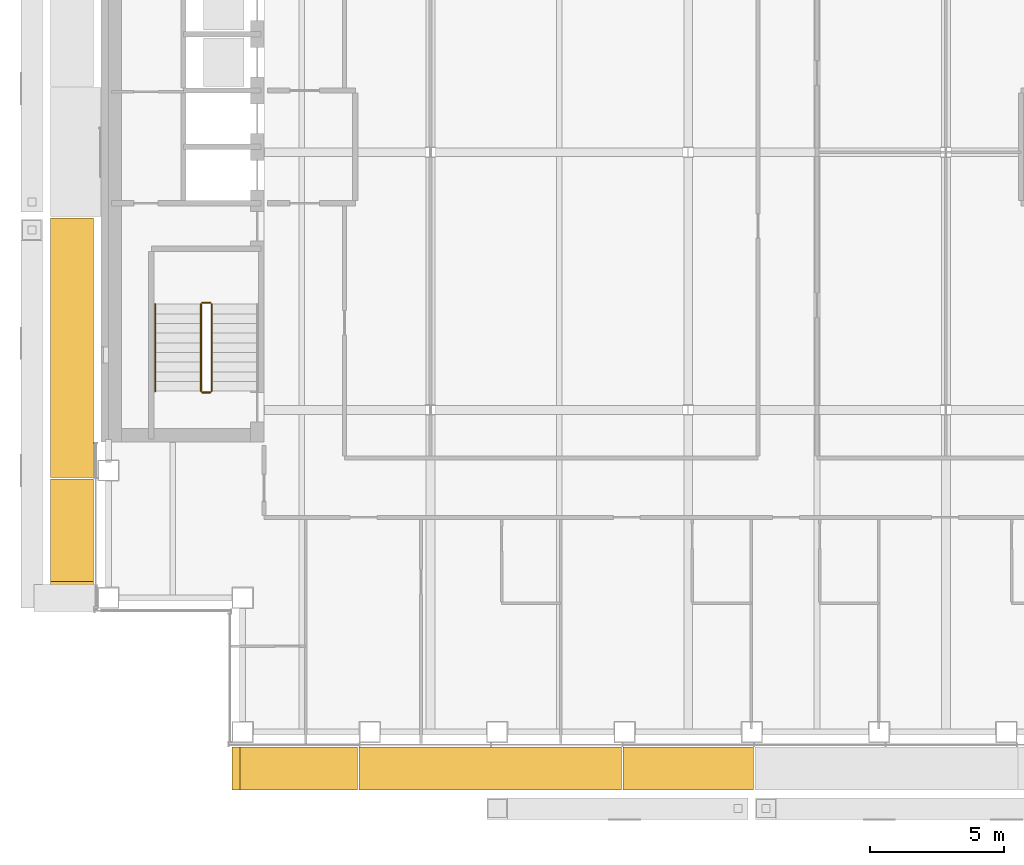
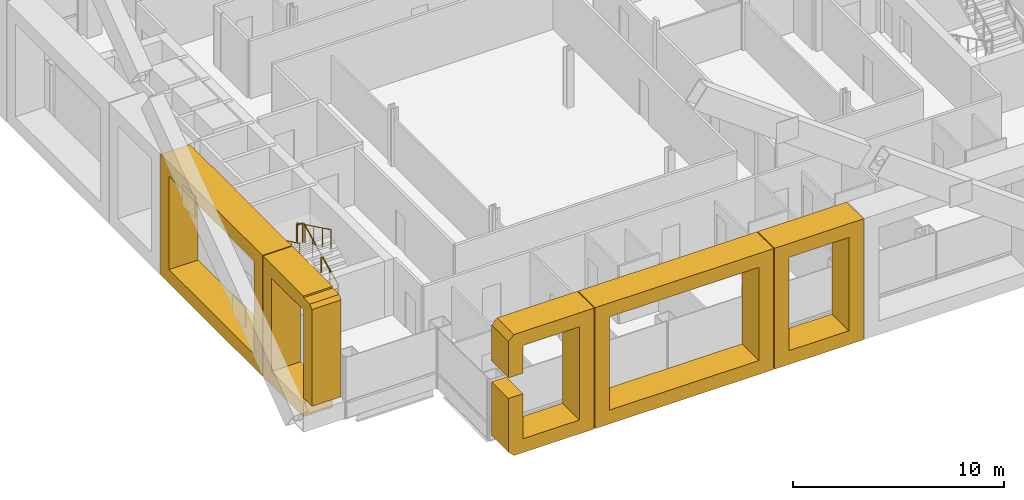
# One storey, part 17 of 22: 5 coverings, 5 railings.
"""IFC4 building model written with IfcOpenShell, lengths in metres."""

import ifcopenshell
import ifcopenshell.guid

model = None  # the IFC model being written
_history = None  # IfcOwnerHistory: only IFC2X3 demands one
_inside = {}  # id of a spatial element -> (the spatial element, [elements in it])
_under = {}  # id of a project, library or spatial element -> (it, [spatial elements below it])
_declared = {}  # id of a project -> (the project, [libraries it declares])
_typed = {}  # id of a type object -> (the type object, [elements of that type])
_made_of = {}  # id of a material, layer set ... -> (it, [elements and type objects made of it])


def new_model(schema):
    """Start an empty IFC model of exactly this schema.

    Asked for "IFC4X3", IfcOpenShell would pick the latest addendum, in which some entities
    have other attributes; the version numbers below select the first issue.
    IFC2X3 requires an IfcOwnerHistory on every rooted entity: one is made here for all.
    """
    global model, _history
    if schema == "IFC4X3":
        model = ifcopenshell.file(schema_version=(4, 3, 0, 0))
    else:
        model = ifcopenshell.file(schema=schema)
    _inside.clear()
    _under.clear()
    _declared.clear()
    _typed.clear()
    _made_of.clear()
    _history = None
    if model.schema == "IFC2X3":
        org = make("IfcOrganization", Name="unknown")
        user = make(
            "IfcPersonAndOrganization",
            ThePerson=make("IfcPerson", FamilyName="unknown"),
            TheOrganization=org,
        )
        app = make(
            "IfcApplication",
            ApplicationDeveloper=org,
            Version="unknown",
            ApplicationFullName="unknown",
            ApplicationIdentifier="unknown",
        )
        _history = make(
            "IfcOwnerHistory",
            OwningUser=user,
            OwningApplication=app,
            ChangeAction="ADDED",
            CreationDate=0,
        )
    return model


def make(cls, **values):
    """One entity of the class cls with the attributes given. An attribute that is None is left unset."""
    return model.create_entity(
        cls, **{name: value for name, value in values.items() if value is not None}
    )


def rooted(cls, **values):
    """An entity with a GlobalId (a new one), such as an element, a storey or a relation."""
    return make(cls, GlobalId=ifcopenshell.guid.new(), OwnerHistory=_history, **values)


def si_unit(unit_type, name, prefix=None):
    """IfcSIUnit, for example si_unit("LENGTHUNIT", "METRE", prefix="MILLI")."""
    return make("IfcSIUnit", UnitType=unit_type, Prefix=prefix, Name=name)


def assignment(units):
    """IfcUnitAssignment: the units of a project."""
    return None if units is None else make("IfcUnitAssignment", Units=units)


def point(xyz):
    """IfcCartesianPoint."""
    return None if xyz is None else make("IfcCartesianPoint", Coordinates=xyz)


def direction(xyz):
    """IfcDirection."""
    return None if xyz is None else make("IfcDirection", DirectionRatios=xyz)


def frame(location, z_axis=None, x_axis=None):
    """IfcAxis2Placement3D, a coordinate frame: its origin and axes. An axis left out is left unset."""
    return make(
        "IfcAxis2Placement3D",
        Location=point(location),
        Axis=direction(z_axis),
        RefDirection=direction(x_axis),
    )


def frame_2d(location, x_axis=None):
    """IfcAxis2Placement2D, a coordinate frame in the plane: its origin and x axis."""
    return make(
        "IfcAxis2Placement2D", Location=point(location), RefDirection=direction(x_axis)
    )


def origin():
    """The frame at (0, 0, 0) with its axes left unset."""
    return frame((0.0, 0.0, 0.0))


def origin_2d():
    """The frame at (0, 0) in the plane with its x axis left unset."""
    return frame_2d((0.0, 0.0))


def place(relative_to, where):
    """IfcLocalPlacement: puts the frame where relative to a parent placement (None: the world)."""
    return make(
        "IfcLocalPlacement", PlacementRelTo=relative_to, RelativePlacement=where
    )


def context(
    kind, dimensions, precision=None, world=None, true_north=None, identifier=None
):
    """IfcGeometricRepresentationContext, for example the 3D "Model" context."""
    return make(
        "IfcGeometricRepresentationContext",
        ContextIdentifier=identifier,
        ContextType=kind,
        CoordinateSpaceDimension=dimensions,
        Precision=precision,
        WorldCoordinateSystem=world,
        TrueNorth=true_north,
    )


def subcontext(parent, identifier, kind, view, scale=None):
    """IfcGeometricRepresentationSubContext, for example "Body" below "Model"."""
    return make(
        "IfcGeometricRepresentationSubContext",
        ContextIdentifier=identifier,
        ContextType=kind,
        ParentContext=parent,
        TargetScale=scale,
        TargetView=view,
    )


def project(units=None, contexts=None):
    """IfcProject with its units and contexts."""
    return rooted(
        "IfcProject",
        Name="project",
        RepresentationContexts=contexts,
        UnitsInContext=assignment(units),
    )


def spatial(cls, under=None, at=None, **own):
    """A site, building, storey or space (cls), placed at a placement, below another one or the project."""
    s = rooted(cls, ObjectPlacement=at, **own)
    if under is not None:
        _under.setdefault(under.id(), (under, []))[1].append(s)
    return s


def polyline(points):
    """IfcPolyline through the points."""
    return make("IfcPolyline", Points=[point(p) for p in points])


def profile(cls, at=None, kind="AREA", **sizes):
    """A parametric profile (cls). Its sizes go by their IFC names, for example OverallWidth=200.0."""
    return make(cls, ProfileType=kind, Position=at, **sizes)


def circle(**sizes):
    """IfcCircleProfileDef."""
    return profile("IfcCircleProfileDef", **sizes)


def outline(outer, holes=None, kind="AREA"):
    """IfcArbitraryClosedProfileDef: a profile drawn as a closed curve; with holes, ...WithVoids."""
    if holes is None:
        return make("IfcArbitraryClosedProfileDef", ProfileType=kind, OuterCurve=outer)
    return make(
        "IfcArbitraryProfileDefWithVoids",
        ProfileType=kind,
        OuterCurve=outer,
        InnerCurves=holes,
    )


def extrude(swept, where, along, depth):
    """IfcExtrudedAreaSolid: the profile swept, set in the frame where, extruded along a direction by depth."""
    return make(
        "IfcExtrudedAreaSolid",
        SweptArea=swept,
        Position=where,
        ExtrudedDirection=direction(along),
        Depth=depth,
    )


def shape(context_of_items, identifier, shape_type, items):
    """IfcShapeRepresentation: the items that make up one representation, for example the "Body"."""
    return make(
        "IfcShapeRepresentation",
        ContextOfItems=context_of_items,
        RepresentationIdentifier=identifier,
        RepresentationType=shape_type,
        Items=items,
    )


def material(Name=None, Category=None):
    """IfcMaterial."""
    return make("IfcMaterial", Name=Name, Category=Category)


def made_of(thing, what):
    """Note that an element or type object is made of a material, layer set ...; save() writes the relation."""
    if what is not None:
        _made_of.setdefault(what.id(), (what, []))[1].append(thing)
    return thing


def type_object(cls, material=None, **own):
    """A type object (cls), such as IfcWallType, which elements share."""
    return made_of(rooted(cls, **own), material)


def element(
    cls,
    number,
    at=None,
    inside=None,
    cuts=None,
    type_object=None,
    material=None,
    context=None,
    identifier="Body",
    shape_type=None,
    held_by="IfcProductDefinitionShape",
    body=None,
    shapes=None,
    **own,
):
    """One element of the class cls, such as IfcWall. Its Tag is "e" and its number.

    at: its placement. inside: the storey or other place that contains it. cuts: it is an
    opening in that element (IfcRelVoidsElement). A single representation is given by context,
    identifier, shape_type and body (its items); several are given by shapes. held_by: the class
    of the entity that holds the representations. save() writes the other relations.
    """
    e = rooted(cls, Tag="e%d" % number, ObjectPlacement=at, **own)
    if body is not None:
        shapes = [shape(context, identifier, shape_type, body)]
    if shapes is not None:
        e.Representation = make(held_by, Representations=shapes)
    if inside is not None:
        _inside.setdefault(inside.id(), (inside, []))[1].append(e)
    if cuts is not None:
        rooted(
            "IfcRelVoidsElement", RelatingBuildingElement=cuts, RelatedOpeningElement=e
        )
    if type_object is not None:
        _typed.setdefault(type_object.id(), (type_object, []))[1].append(e)
    return made_of(e, material)


def aggregate(whole, parts):
    """IfcRelAggregates: a whole, such as a stair, and the parts it consists of."""
    return rooted("IfcRelAggregates", RelatingObject=whole, RelatedObjects=parts)


def save(model, path):
    """Write the relations noted so far, then the file.

    IfcRelAggregates (storeys below a building ...), IfcRelContainedInSpatialStructure (elements
    in a storey), IfcRelDefinesByType, IfcRelAssociatesMaterial and IfcRelDeclares: one each for
    every whole, place, type object, material and project.
    """
    for whole, parts in _under.values():
        aggregate(whole, parts)
    for where, things in _inside.values():
        rooted(
            "IfcRelContainedInSpatialStructure",
            RelatedElements=things,
            RelatingStructure=where,
        )
    for kind, things in _typed.values():
        rooted("IfcRelDefinesByType", RelatedObjects=things, RelatingType=kind)
    for what, things in _made_of.values():
        rooted("IfcRelAssociatesMaterial", RelatedObjects=things, RelatingMaterial=what)
    for by, libraries in _declared.values():
        rooted("IfcRelDeclares", RelatingContext=by, RelatedDefinitions=libraries)
    model.write(path)


model = new_model("IFC4")

# Units and contexts
model_context = context("Model", 3, precision=1e-05, world=origin(), true_north=direction((0.0, 1.0)))
body_context = subcontext(model_context, "Body", "Model", "MODEL_VIEW")
ifc_project = project(units=[si_unit("LENGTHUNIT", "METRE"), si_unit("AREAUNIT", "SQUARE_METRE"), si_unit("VOLUMEUNIT", "CUBIC_METRE"), si_unit("PLANEANGLEUNIT", "RADIAN"), si_unit("MASSUNIT", "GRAM", prefix="KILO")], contexts=[model_context])

# Site, building, storey
site_placement = place(None, origin())
site = spatial("IfcSite", under=ifc_project, at=site_placement, CompositionType="ELEMENT")
building_placement = place(site_placement, origin())
building = spatial("IfcBuilding", under=site, at=building_placement, Name="Cobrizo Arcos Hotel Tower", CompositionType="ELEMENT")
storey_placement = place(building_placement, frame((0.0, 0.0, 155.0)))
storey = spatial("IfcBuildingStorey", under=building, at=storey_placement, Name="L39", CompositionType="ELEMENT", Elevation=155.0)

# Coverings
ifc_material_1 = material(Name="Aluminium 6063-T6 anodised bronze", Category="aluminium")
covering_type = type_object("IfcCoveringType", Name="FIN-F 1600", PredefinedType="CLADDING", material=ifc_material_1)
covering_1_placement = place(storey_placement, frame((-17.0, -22.14990234375, 0.0), z_axis=(0.0, -1.0, 0.0), x_axis=(1.0, 0.0, 0.0)))
element("IfcCovering", 1, at=covering_1_placement, inside=storey, type_object=covering_type, Name="Fin frame 236", PredefinedType="CLADDING", context=body_context, shape_type="SweptSolid", body=[
    extrude(outline(polyline([(0.0, 6.699951171875), (0.0, 4.60205078125), (0.800048828125, 4.60205078125), (0.800048828125, 6.199951171875), (3.889404296875, 6.199951171875), (3.889404296875, 0.800048828125), (0.800048828125, 0.800048828125), (0.800048828125, 3.39794921875), (0.0, 3.39794921875), (0.0, 0.300048828125), (0.300048828125, 0.0), (4.689208984375, 0.0), (4.689208984375, 7.0), (0.300048828125, 7.0), (0.0, 6.699951171875)])), origin(), (0.0, 0.0, 1.0), 1.60009765625),
])
covering_2_placement = place(storey_placement, frame((-12.2607421875, -22.14990234375, 0.0), z_axis=(0.0, -1.0, 0.0), x_axis=(1.0, 0.0, 0.0)))
element("IfcCovering", 2, at=covering_2_placement, inside=storey, type_object=covering_type, Name="Fin frame 237", PredefinedType="CLADDING", context=body_context, shape_type="SweptSolid", body=[
    extrude(outline(polyline([(0.0, 7.0), (0.0, 0.0), (9.778564453125, 0.0), (9.778564453125, 7.0), (0.0, 7.0)]), holes=[polyline([(8.978515625, 0.800048828125), (0.800048828125, 0.800048828125), (0.800048828125, 6.199951171875), (8.978515625, 6.199951171875), (8.978515625, 0.800048828125)])]), origin(), (0.0, 0.0, 1.0), 1.60009765625),
])
covering_3_placement = place(storey_placement, frame((-2.43212890625, -22.14990234375, 0.0), z_axis=(0.0, -1.0, 0.0), x_axis=(1.0, 0.0, 0.0)))
element("IfcCovering", 3, at=covering_3_placement, inside=storey, type_object=covering_type, Name="Fin frame 238", PredefinedType="CLADDING", context=body_context, shape_type="SweptSolid", body=[
    extrude(outline(polyline([(0.0, 7.0), (0.0, 0.0), (4.8642578125, 0.0), (4.8642578125, 7.0), (0.0, 7.0)]), holes=[polyline([(4.064208984375, 0.800048828125), (0.800048828125, 0.800048828125), (0.800048828125, 6.199951171875), (4.064208984375, 6.199951171875), (4.064208984375, 0.800048828125)])]), origin(), (0.0, 0.0, 1.0), 1.60009765625),
])
covering_4_placement = place(storey_placement, frame((-22.14990234375, -2.45361328125, 0.0), z_axis=(-1.0, 0.0, 0.0), x_axis=(0.0, -1.0, 0.0)))
element("IfcCovering", 4, at=covering_4_placement, inside=storey, type_object=covering_type, Name="Fin frame 269", PredefinedType="CLADDING", context=body_context, shape_type="SweptSolid", body=[
    extrude(outline(polyline([(0.0, 7.0), (0.0, 0.0), (9.664306640625, 0.0), (9.664306640625, 7.0), (0.0, 7.0)]), holes=[polyline([(8.8642578125, 0.800048828125), (0.800048828125, 0.800048828125), (0.800048828125, 6.199951171875), (8.8642578125, 6.199951171875), (8.8642578125, 0.800048828125)])]), origin(), (0.0, 0.0, 1.0), 1.60009765625),
])
covering_5_placement = place(storey_placement, frame((-22.14990234375, -12.16796875, 0.0), z_axis=(-1.0, 0.0, 0.0), x_axis=(0.0, -1.0, 0.0)))
element("IfcCovering", 5, at=covering_5_placement, inside=storey, type_object=covering_type, Name="Fin frame 270", PredefinedType="CLADDING", context=body_context, shape_type="SweptSolid", body=[
    extrude(outline(polyline([(0.0, 0.0), (3.830078125, 0.0), (3.830078125, 0.800048828125), (0.800048828125, 0.800048828125), (0.800048828125, 6.199951171875), (3.83203125, 6.199951171875), (3.83203125, 1.10205078125), (4.632080078125, 1.10205078125), (4.632080078125, 6.699951171875), (4.43408203125, 6.89794921875), (3.830078125, 6.89794921875), (3.830078125, 7.0), (0.0, 7.0), (0.0, 0.0)])), origin(), (0.0, 0.0, 1.0), 1.60009765625),
])

# Railings
ifc_material_2 = material(Name="Stainless steel railing", Category="steel")
railing_type_1 = type_object("IfcRailingType", Name="Stair guard 1100", PredefinedType="GUARDRAIL", material=ifc_material_2)
railing_1_placement = place(storey_placement, frame((-17.75, -8.89990234375, 0.175048828125)))
element("IfcRailing", 6, at=railing_1_placement, inside=storey, type_object=railing_type_1, Name="L39 ST-W stair guard 1", PredefinedType="GUARDRAIL", context=body_context, shape_type="SweptSolid", body=[
    extrude(circle(Radius=0.02392578125, at=origin_2d()), frame((0.0, 0.0, 1.076171875), z_axis=(0.0, 0.899372665325, 0.437182809435), x_axis=(-1.0, 0.0, 0.0)), (0.0, 0.0, 1.0), 3.6025390625),
    extrude(circle(Radius=0.02099609375, at=origin_2d()), origin(), (0.0, 0.0, 1.0), 1.052001953125),
    extrude(circle(Radius=0.02099609375, at=origin_2d()), frame((0.0, 0.81005859375, 0.393798828125)), (0.0, 0.0, 1.0), 1.052001953125),
    extrude(circle(Radius=0.02099609375, at=origin_2d()), frame((0.0, 1.6201171875, 0.78759765625)), (0.0, 0.0, 1.0), 1.052001953125),
    extrude(circle(Radius=0.02099609375, at=origin_2d()), frame((0.0, 2.429931640625, 1.18115234375)), (0.0, 0.0, 1.0), 1.052001953125),
    extrude(circle(Radius=0.02099609375, at=origin_2d()), frame((0.0, 3.239990234375, 1.574951171875)), (0.0, 0.0, 1.0), 1.052001953125),
])
railing_2_placement = place(storey_placement, frame((-17.800048828125, -5.610107421875, 1.75)))
element("IfcRailing", 7, at=railing_2_placement, inside=storey, type_object=railing_type_1, Name="L39 ST-W stair guard 2", PredefinedType="GUARDRAIL", context=body_context, shape_type="SweptSolid", body=[
    extrude(circle(Radius=0.02392578125, at=origin_2d()), frame((0.0, 0.0, 1.076171875), z_axis=(-1.0, 0.0, 0.0), x_axis=(0.0, -1.0, 0.0)), (0.0, 0.0, 1.0), 0.300048828125),
    extrude(circle(Radius=0.02099609375, at=origin_2d()), origin(), (0.0, 0.0, 1.0), 1.052001953125),
    extrude(circle(Radius=0.02099609375, at=origin_2d()), frame((-0.300048828125, 0.0, 0.0)), (0.0, 0.0, 1.0), 1.052001953125),
])
railing_3_placement = place(storey_placement, frame((-18.14990234375, -5.659912109375, 1.925048828125)))
element("IfcRailing", 8, at=railing_3_placement, inside=storey, type_object=railing_type_1, Name="L39 ST-W stair guard 3", PredefinedType="GUARDRAIL", context=body_context, shape_type="SweptSolid", body=[
    extrude(circle(Radius=0.02392578125, at=origin_2d()), frame((0.0, 0.0, 1.076171875), z_axis=(0.0, -0.899372665325, 0.437182809435), x_axis=(1.0, 0.0, 0.0)), (0.0, 0.0, 1.0), 3.6025390625),
    extrude(circle(Radius=0.02099609375, at=origin_2d()), origin(), (0.0, 0.0, 1.0), 1.052001953125),
    extrude(circle(Radius=0.02099609375, at=origin_2d()), frame((0.0, -0.81005859375, 0.393798828125)), (0.0, 0.0, 1.0), 1.052001953125),
    extrude(circle(Radius=0.02099609375, at=origin_2d()), frame((0.0, -1.6201171875, 0.78759765625)), (0.0, 0.0, 1.0), 1.052001953125),
    extrude(circle(Radius=0.02099609375, at=origin_2d()), frame((0.0, -2.429931640625, 1.18115234375)), (0.0, 0.0, 1.0), 1.052001953125),
    extrude(circle(Radius=0.02099609375, at=origin_2d()), frame((0.0, -3.239990234375, 1.574951171875)), (0.0, 0.0, 1.0), 1.052001953125),
])
railing_4_placement = place(storey_placement, frame((-17.800048828125, -8.949951171875, 0.0)))
element("IfcRailing", 9, at=railing_4_placement, inside=storey, type_object=railing_type_1, Name="L39 ST-W stair guard 4", PredefinedType="GUARDRAIL", context=body_context, shape_type="SweptSolid", body=[
    extrude(circle(Radius=0.02392578125, at=origin_2d()), frame((0.0, 0.0, 1.076171875), z_axis=(-1.0, 0.0, 0.0), x_axis=(0.0, -1.0, 0.0)), (0.0, 0.0, 1.0), 0.300048828125),
    extrude(circle(Radius=0.02099609375, at=origin_2d()), origin(), (0.0, 0.0, 1.0), 1.052001953125),
    extrude(circle(Radius=0.02099609375, at=origin_2d()), frame((-0.300048828125, 0.0, 0.0)), (0.0, 0.0, 1.0), 1.052001953125),
])
railing_type_2 = type_object("IfcRailingType", Name="Stair handrail", PredefinedType="HANDRAIL", material=ifc_material_2)
railing_5_placement = place(storey_placement, frame((-19.85009765625, -5.659912109375, 1.925048828125)))
element("IfcRailing", 10, at=railing_5_placement, inside=storey, type_object=railing_type_2, Name="L39 ST-W stair handrail 2", PredefinedType="HANDRAIL", context=body_context, shape_type="SweptSolid", body=[
    extrude(circle(Radius=0.02392578125, at=origin_2d()), frame((0.0, 0.0, 0.8759765625), z_axis=(0.0, -0.899372665325, 0.437182809435), x_axis=(1.0, 0.0, 0.0)), (0.0, 0.0, 1.0), 3.6025390625),
    extrude(circle(Radius=0.02099609375, at=origin_2d()), origin(), (0.0, 0.0, 1.0), 0.851806640625),
    extrude(circle(Radius=0.02099609375, at=origin_2d()), frame((0.0, -0.81005859375, 0.393798828125)), (0.0, 0.0, 1.0), 0.851806640625),
    extrude(circle(Radius=0.02099609375, at=origin_2d()), frame((0.0, -1.6201171875, 0.78759765625)), (0.0, 0.0, 1.0), 0.851806640625),
    extrude(circle(Radius=0.02099609375, at=origin_2d()), frame((0.0, -2.429931640625, 1.18115234375)), (0.0, 0.0, 1.0), 0.851806640625),
    extrude(circle(Radius=0.02099609375, at=origin_2d()), frame((0.0, -3.239990234375, 1.574951171875)), (0.0, 0.0, 1.0), 0.851806640625),
])

save(model, "model.ifc")
